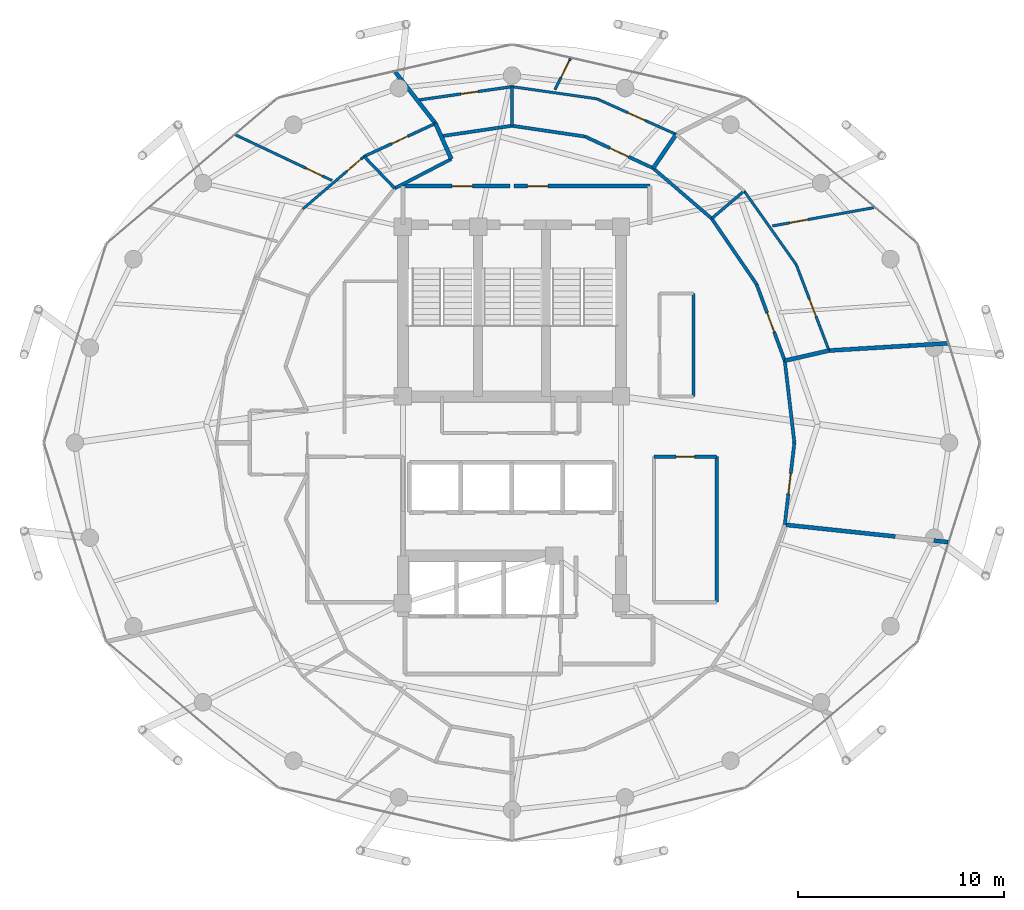
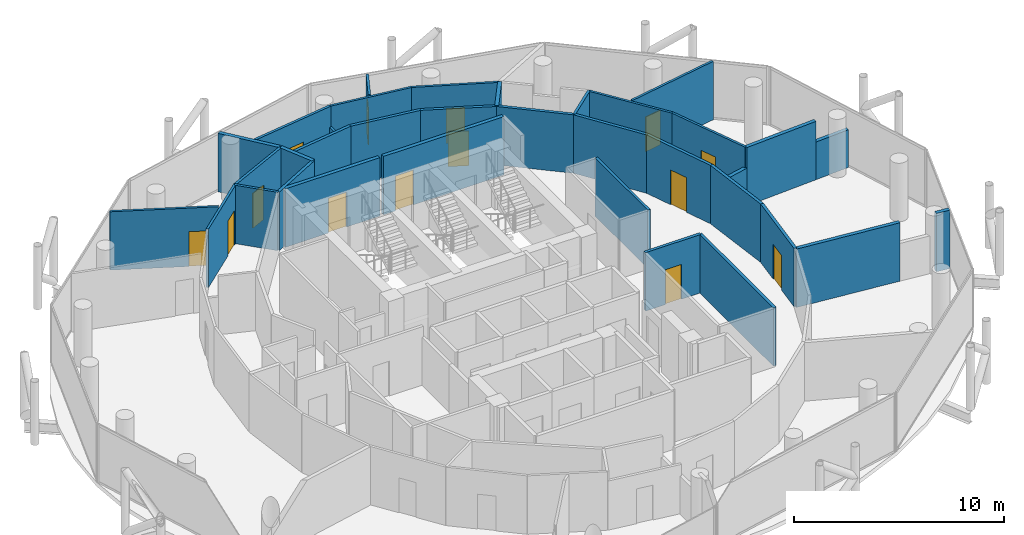
# One storey, part 25 of 27: 35 walls, 14 doors, 14 openings.
"""IFC4 building model written with IfcOpenShell, lengths in metres."""

from ifc_helpers import new_model, si_unit, direction, frame, frame_2d, origin, place, context, subcontext, project, spatial, rectangle, extrude, material, layer, layer_set, type_object, element, fill, save


model = new_model("IFC4")

# Units and contexts
model_context = context("Model", 3, precision=1e-05, world=origin(), true_north=direction((0.0, 1.0)))
body_context = subcontext(model_context, "Body", "Model", "MODEL_VIEW")
ifc_project = project(units=[si_unit("LENGTHUNIT", "METRE"), si_unit("AREAUNIT", "SQUARE_METRE"), si_unit("VOLUMEUNIT", "CUBIC_METRE"), si_unit("PLANEANGLEUNIT", "RADIAN"), si_unit("MASSUNIT", "GRAM", prefix="KILO")], contexts=[model_context])

# Site, building, storey
site_placement = place(None, origin())
site = spatial("IfcSite", under=ifc_project, at=site_placement, CompositionType="ELEMENT")
building_placement = place(site_placement, origin())
building = spatial("IfcBuilding", under=site, at=building_placement, Name="Nuhasar Tower", CompositionType="ELEMENT")
storey_placement = place(building_placement, frame((0.0, 0.0, 251.949951171875)))
storey = spatial("IfcBuildingStorey", under=building, at=storey_placement, Name="L62", CompositionType="ELEMENT", Elevation=251.949951171875)

# Wall
ifc_material_1 = material(Name="Gypsum Board", Category="gypsum")
ifc_layer_1 = layer(ifc_material_1, 0.159912109375)
ifc_layer_set_1 = layer_set([ifc_layer_1], Name="Gypsum Board")
wall_type_1 = type_object("IfcWallType", Name="WL-CORR-160", PredefinedType="PARTITIONING", material=ifc_layer_set_1)
wall_1_placement = place(storey_placement, frame((48.949951171875, 19.050048828125, 0.0), z_axis=(0.0, 0.0, 1.0), x_axis=(0.0, 1.0, 0.0)))
element("IfcWall", 1, at=wall_1_placement, inside=storey, type_object=wall_type_1, Name="L62 Interior Partition RECL-B2-E", PredefinedType="PARTITIONING", context=body_context, shape_type="SweptSolid", body=[
    extrude(rectangle(XDim=7.070068359375, YDim=0.159912109375, at=frame_2d((3.53515625, 0.0))), origin(), (0.0, 0.0, 1.0), 3.39013671875),
])

# Wall, opening, door
wall_2_placement = place(storey_placement, frame((48.949951171875, 26.1201171875, 0.0), z_axis=(0.0, 0.0, 1.0), x_axis=(-1.0, 0.0, 0.0)))
wall_2 = element("IfcWall", 2, at=wall_2_placement, inside=storey, type_object=wall_type_1, Name="L62 Interior Partition RECL-B2-N", PredefinedType="PARTITIONING", context=body_context, shape_type="SweptSolid", body=[
    extrude(rectangle(XDim=3.050048828125, YDim=0.159912109375, at=frame_2d((1.52490234375, 0.0))), origin(), (0.0, 0.0, 1.0), 3.39013671875),
])
opening_1_placement = place(wall_2_placement, frame((1.074951171875, 0.0, 0.0)))
opening_1 = element("IfcOpeningElement", 3, at=opening_1_placement, cuts=wall_2, Name="Opening DR-01B", PredefinedType="OPENING", context=body_context, shape_type="SweptSolid", body=[
    extrude(rectangle(XDim=0.89990234375, YDim=2.02001953125, at=frame_2d((0.449951171875, 1.010009765625))), frame((0.0, 0.08984375, 0.0), z_axis=(0.0, -1.0, 0.0), x_axis=(1.0, 0.0, 0.0)), (0.0, 0.0, 1.0), 0.179931640625),
])
ifc_material_2 = material(Name="Timber Oak", Category="wood")
door_type_1 = type_object("IfcDoorType", Name="DR-L62-ROOM-900", OperationType="NOTDEFINED", PredefinedType="DOOR", material=ifc_material_2)
door_1_placement = place(opening_1_placement, origin())
door_1 = element("IfcDoor", 4, at=door_1_placement, inside=storey, type_object=door_type_1, Name="L62 Resident Library Door", OperationType="SINGLE_SWING_LEFT", OverallHeight=2.02001953125, OverallWidth=0.89990234375, PredefinedType="DOOR", context=body_context, shape_type="SweptSolid", body=[
    extrude(rectangle(XDim=0.89990234375, YDim=2.02001953125, at=frame_2d((0.449951171875, 1.010009765625))), frame((0.0, 0.02490234375, 0.0), z_axis=(0.0, -1.0, 0.0), x_axis=(1.0, 0.0, 0.0)), (0.0, 0.0, 1.0), 0.050048828125),
])
fill(opening_1, door_1)

wall_3_placement = place(storey_placement, frame((52.72998046875, 26.800048828125, 0.0), z_axis=(0.0, 0.0, 1.0), x_axis=(-0.116555498827, -0.993184180146, 0.0)))
wall_3 = element("IfcWall", 5, at=wall_3_placement, inside=storey, type_object=wall_type_1, Name="L62 Interior Partition CORR-46", PredefinedType="PARTITIONING", context=body_context, shape_type="SweptSolid", body=[
    extrude(rectangle(XDim=4.015380859375, YDim=0.159912109375, at=frame_2d((2.0078125, 0.0))), origin(), (0.0, 0.0, 1.0), 3.39013671875),
])
opening_2_placement = place(wall_3_placement, frame((1.508056640625, 0.0, 0.0)))
opening_2 = element("IfcOpeningElement", 6, at=opening_2_placement, cuts=wall_3, Name="Opening DU-02B", PredefinedType="OPENING", context=body_context, shape_type="SweptSolid", body=[
    extrude(rectangle(XDim=1.0, YDim=2.02001953125, at=frame_2d((0.5, 1.010009765625))), frame((0.0, 0.08984375, 0.0), z_axis=(0.0, -1.0, 0.0), x_axis=(1.0, 0.0, 0.0)), (0.0, 0.0, 1.0), 0.179931640625),
])
door_type_2 = type_object("IfcDoorType", Name="DR-L62-FD60-1000", OperationType="NOTDEFINED", PredefinedType="DOOR", material=ifc_material_2)
door_2_placement = place(opening_2_placement, origin())
door_2 = element("IfcDoor", 7, at=door_2_placement, inside=storey, type_object=door_type_2, Name="L62 Horizon Music Recital Room Entrance Door", OperationType="SINGLE_SWING_LEFT", OverallHeight=2.02001953125, OverallWidth=1.0, PredefinedType="DOOR", context=body_context, shape_type="SweptSolid", body=[
    extrude(rectangle(XDim=1.0, YDim=2.02001953125, at=frame_2d((0.5, 1.010009765625))), frame((0.0, 0.02490234375, 0.0), z_axis=(0.0, -1.0, 0.0), x_axis=(1.0, 0.0, 0.0)), (0.0, 0.0, 1.0), 0.050048828125),
])
fill(opening_2, door_2)

# Wall
wall_4_placement = place(storey_placement, frame((52.72998046875, 26.800048828125, 0.0), z_axis=(0.0, 0.0, 1.0), x_axis=(-0.116555498827, 0.993184180146, 0.0)))
element("IfcWall", 8, at=wall_4_placement, inside=storey, type_object=wall_type_1, Name="L62 Interior Partition CORR-00", PredefinedType="PARTITIONING", context=body_context, shape_type="SweptSolid", body=[
    extrude(rectangle(XDim=4.015380859375, YDim=0.159912109375, at=frame_2d((2.0078125, 0.0))), origin(), (0.0, 0.0, 1.0), 3.39013671875),
])

# Wall, opening, door
wall_5_placement = place(storey_placement, frame((50.89111328125, 34.5048828125, 0.0), z_axis=(0.0, 0.0, 1.0), x_axis=(0.346039479237, -0.938219952255, 0.0)))
wall_5 = element("IfcWall", 9, at=wall_5_placement, inside=storey, type_object=wall_type_1, Name="L62 Interior Partition CORR-02", PredefinedType="PARTITIONING", context=body_context, shape_type="SweptSolid", body=[
    extrude(rectangle(XDim=3.96142578125, YDim=0.159912109375, at=frame_2d((1.980712890625, 0.0))), origin(), (0.0, 0.0, 1.0), 3.39013671875),
])
opening_3_placement = place(wall_5_placement, frame((1.48095703125, 0.0, 0.0)))
opening_3 = element("IfcOpeningElement", 10, at=opening_3_placement, cuts=wall_5, Name="Opening DU-02B", PredefinedType="OPENING", context=body_context, shape_type="SweptSolid", body=[
    extrude(rectangle(XDim=1.0, YDim=2.02001953125, at=frame_2d((0.5, 1.010009765625))), frame((0.0, 0.08984375, 0.0), z_axis=(0.0, -1.0, 0.0), x_axis=(1.0, 0.0, 0.0)), (0.0, 0.0, 1.0), 0.179931640625),
])
door_3_placement = place(opening_3_placement, origin())
door_3 = element("IfcDoor", 11, at=door_3_placement, inside=storey, type_object=door_type_2, Name="L62 Horizon One-Bed Apartment Entrance Door", OperationType="SINGLE_SWING_LEFT", OverallHeight=2.02001953125, OverallWidth=1.0, PredefinedType="DOOR", context=body_context, shape_type="SweptSolid", body=[
    extrude(rectangle(XDim=1.0, YDim=2.02001953125, at=frame_2d((0.5, 1.010009765625))), frame((0.0, 0.02490234375, 0.0), z_axis=(0.0, -1.0, 0.0), x_axis=(1.0, 0.0, 0.0)), (0.0, 0.0, 1.0), 0.050048828125),
])
fill(opening_3, door_3)

# Walls
wall_6_placement = place(storey_placement, frame((50.89111328125, 34.5048828125, 0.0), z_axis=(0.0, 0.0, 1.0), x_axis=(-0.5643375537, 0.825544139028, 0.0)))
element("IfcWall", 12, at=wall_6_placement, inside=storey, type_object=wall_type_1, Name="L62 Interior Partition CORR-04", PredefinedType="PARTITIONING", context=body_context, shape_type="SweptSolid", body=[
    extrude(rectangle(XDim=3.86669921875, YDim=0.159912109375, at=frame_2d((1.933349609375, 0.0))), origin(), (0.0, 0.0, 1.0), 3.39013671875),
])
wall_7_placement = place(storey_placement, frame((48.708984375, 37.697021484375, 0.0), z_axis=(0.0, 0.0, 1.0), x_axis=(-0.75790014932, 0.652370572344, 0.0)))
element("IfcWall", 13, at=wall_7_placement, inside=storey, type_object=wall_type_1, Name="L62 Interior Partition CORR-06", PredefinedType="PARTITIONING", context=body_context, shape_type="SweptSolid", body=[
    extrude(rectangle(XDim=3.75244140625, YDim=0.159912109375, at=frame_2d((1.876220703125, 0.0))), origin(), (0.0, 0.0, 1.0), 3.39013671875),
])

# Wall, opening, door
wall_8_placement = place(storey_placement, frame((42.553955078125, 41.68505859375, 0.0), z_axis=(0.0, 0.0, 1.0), x_axis=(0.906718733669, -0.421735862851, 0.0)))
wall_8 = element("IfcWall", 14, at=wall_8_placement, inside=storey, type_object=wall_type_1, Name="L62 Interior Partition CORR-08", PredefinedType="PARTITIONING", context=body_context, shape_type="SweptSolid", body=[
    extrude(rectangle(XDim=3.651611328125, YDim=0.159912109375, at=frame_2d((1.82568359375, 0.0))), origin(), (0.0, 0.0, 1.0), 3.39013671875),
])
opening_4_placement = place(wall_8_placement, frame((1.325927734375, 0.0, 0.0)))
opening_4 = element("IfcOpeningElement", 15, at=opening_4_placement, cuts=wall_8, Name="Opening DU-02B", PredefinedType="OPENING", context=body_context, shape_type="SweptSolid", body=[
    extrude(rectangle(XDim=1.0, YDim=2.02001953125, at=frame_2d((0.5, 1.010009765625))), frame((0.0, 0.08984375, 0.0), z_axis=(0.0, -1.0, 0.0), x_axis=(1.0, 0.0, 0.0)), (0.0, 0.0, 1.0), 0.179931640625),
])
door_4_placement = place(opening_4_placement, origin())
door_4 = element("IfcDoor", 16, at=door_4_placement, inside=storey, type_object=door_type_2, Name="L62 Horizon North Studio Suite Entrance Door", OperationType="SINGLE_SWING_RIGHT", OverallHeight=2.02001953125, OverallWidth=1.0, PredefinedType="DOOR", context=body_context, shape_type="SweptSolid", body=[
    extrude(rectangle(XDim=1.0, YDim=2.02001953125, at=frame_2d((0.5, 1.010009765625))), frame((0.0, 0.02490234375, 0.0), z_axis=(0.0, -1.0, 0.0), x_axis=(1.0, 0.0, 0.0)), (0.0, 0.0, 1.0), 0.050048828125),
])
fill(opening_4, door_4)

# Walls
wall_9_placement = place(storey_placement, frame((42.553955078125, 41.68505859375, 0.0), z_axis=(0.0, 0.0, 1.0), x_axis=(-0.989268313231, 0.146110247541, 0.0)))
element("IfcWall", 17, at=wall_9_placement, inside=storey, type_object=wall_type_1, Name="L62 Interior Partition CORR-10", PredefinedType="PARTITIONING", context=body_context, shape_type="SweptSolid", body=[
    extrude(rectangle(XDim=3.592529296875, YDim=0.159912109375, at=frame_2d((1.79638671875, 0.0))), origin(), (0.0, 0.0, 1.0), 3.39013671875),
])
wall_10_placement = place(storey_placement, frame((39.0, 42.2099609375, 0.0), z_axis=(0.0, 0.0, 1.0), x_axis=(-0.989259474357, -0.146170080365, 0.0)))
element("IfcWall", 18, at=wall_10_placement, inside=storey, type_object=wall_type_1, Name="L62 Interior Partition CORR-12", PredefinedType="PARTITIONING", context=body_context, shape_type="SweptSolid", body=[
    extrude(rectangle(XDim=3.482421875, YDim=0.159912109375, at=frame_2d((1.7412109375, 0.0))), origin(), (0.0, 0.0, 1.0), 3.39013671875),
])
wall_11_placement = place(storey_placement, frame((36.049072265625, 40.593017578125, 0.0), z_axis=(0.0, 0.0, 1.0), x_axis=(-0.887674575788, -0.460471331898, 0.0)))
element("IfcWall", 19, at=wall_11_placement, inside=storey, type_object=wall_type_1, Name="L62 Interior Partition UWEST-CORE-N1-14", PredefinedType="PARTITIONING", context=body_context, shape_type="SweptSolid", body=[
    extrude(rectangle(XDim=3.096923828125, YDim=0.159912109375, at=frame_2d((1.54833984375, 0.0))), origin(), (0.0, 0.0, 1.0), 3.39013671875),
])

# Wall, opening, door
ifc_material_3 = material(Name="Concrete C45/55", Category="concrete")
ifc_layer_2 = layer(ifc_material_3, 0.199951171875)
ifc_layer_set_2 = layer_set([ifc_layer_2], Name="Concrete C45/55")
wall_type_2 = type_object("IfcWallType", Name="WL-LOBBY-200", PredefinedType="SOLIDWALL", material=ifc_layer_set_2)
wall_12_placement = place(storey_placement, frame((38.89990234375, 39.280029296875, 0.0), z_axis=(0.0, 0.0, 1.0), x_axis=(-1.0, 0.0, 0.0)))
wall_12 = element("IfcWall", 20, at=wall_12_placement, inside=storey, type_object=wall_type_2, Name="L62 Interior Partition NSL-N1", PredefinedType="SOLIDWALL", context=body_context, shape_type="SweptSolid", body=[
    extrude(rectangle(XDim=5.199951171875, YDim=0.199951171875, at=frame_2d((2.60009765625, 0.0))), origin(), (0.0, 0.0, 1.0), 3.39013671875),
])
opening_5_placement = place(wall_12_placement, frame((1.81591796875, 0.0, 0.0)))
opening_5 = element("IfcOpeningElement", 21, at=opening_5_placement, cuts=wall_12, Name="Opening DU-02B", PredefinedType="OPENING", context=body_context, shape_type="SweptSolid", body=[
    extrude(rectangle(XDim=1.0, YDim=2.02001953125, at=frame_2d((0.5, 1.010009765625))), frame((0.0, 0.10986328125, 0.0), z_axis=(0.0, -1.0, 0.0), x_axis=(1.0, 0.0, 0.0)), (0.0, 0.0, 1.0), 0.219970703125),
])
door_5_placement = place(opening_5_placement, origin())
door_5 = element("IfcDoor", 22, at=door_5_placement, inside=storey, type_object=door_type_2, Name="L62 North Stair Lobby West Door", OperationType="SINGLE_SWING_LEFT", OverallHeight=2.02001953125, OverallWidth=1.0, PredefinedType="DOOR", context=body_context, shape_type="SweptSolid", body=[
    extrude(rectangle(XDim=1.0, YDim=2.02001953125, at=frame_2d((0.5, 1.010009765625))), frame((0.0, 0.02490234375, 0.0), z_axis=(0.0, -1.0, 0.0), x_axis=(1.0, 0.0, 0.0)), (0.0, 0.0, 1.0), 0.050048828125),
])
fill(opening_5, door_5)

wall_13_placement = place(storey_placement, frame((45.699951171875, 39.280029296875, 0.0), z_axis=(0.0, 0.0, 1.0), x_axis=(-1.0, 0.0, 0.0)))
wall_13 = element("IfcWall", 23, at=wall_13_placement, inside=storey, type_object=wall_type_2, Name="L62 Interior Partition NSL-N2", PredefinedType="SOLIDWALL", context=body_context, shape_type="SweptSolid", body=[
    extrude(rectangle(XDim=6.599853515625, YDim=0.199951171875, at=frame_2d((3.2998046875, 0.0))), origin(), (0.0, 0.0, 1.0), 3.39013671875),
])
opening_6_placement = place(wall_13_placement, frame((4.949951171875, 0.0, 0.0)))
opening_6 = element("IfcOpeningElement", 24, at=opening_6_placement, cuts=wall_13, Name="Opening DU-02B", PredefinedType="OPENING", context=body_context, shape_type="SweptSolid", body=[
    extrude(rectangle(XDim=1.0, YDim=2.02001953125, at=frame_2d((0.5, 1.010009765625))), frame((0.0, 0.10986328125, 0.0), z_axis=(0.0, -1.0, 0.0), x_axis=(1.0, 0.0, 0.0)), (0.0, 0.0, 1.0), 0.219970703125),
])
door_6_placement = place(opening_6_placement, origin())
door_6 = element("IfcDoor", 25, at=door_6_placement, inside=storey, type_object=door_type_2, Name="L62 North Stair Lobby East Door", OperationType="SINGLE_SWING_RIGHT", OverallHeight=2.02001953125, OverallWidth=1.0, PredefinedType="DOOR", context=body_context, shape_type="SweptSolid", body=[
    extrude(rectangle(XDim=1.0, YDim=2.02001953125, at=frame_2d((0.5, 1.010009765625))), frame((0.0, 0.02490234375, 0.0), z_axis=(0.0, -1.0, 0.0), x_axis=(1.0, 0.0, 0.0)), (0.0, 0.0, 1.0), 0.050048828125),
])
fill(opening_6, door_6)

ifc_layer_3 = layer(ifc_material_1, 0.125)
ifc_layer_set_3 = layer_set([ifc_layer_3], Name="Gypsum Board")
wall_type_3 = type_object("IfcWallType", Name="WL-PART-125", PredefinedType="PARTITIONING", material=ifc_layer_set_3)
wall_14_placement = place(storey_placement, frame((52.822021484375, 35.455078125, 0.0), z_axis=(0.0, 0.0, 1.0), x_axis=(0.356679026334, -0.934226991782, 0.0)))
wall_14 = element("IfcWall", 26, at=wall_14_placement, inside=storey, type_object=wall_type_3, Name="L62 Interior Partition UMID-04-A-02", PredefinedType="PARTITIONING", context=body_context, shape_type="SweptSolid", body=[
    extrude(rectangle(XDim=4.468994140625, YDim=0.125, at=frame_2d((2.234375, 0.0))), origin(), (0.0, 0.0, 1.0), 3.39013671875),
])
opening_7_placement = place(wall_14_placement, frame((1.783935546875, 0.0, 0.0)))
opening_7 = element("IfcOpeningElement", 27, at=opening_7_placement, cuts=wall_14, Name="Opening DR-01B", PredefinedType="OPENING", context=body_context, shape_type="SweptSolid", body=[
    extrude(rectangle(XDim=0.89990234375, YDim=2.02001953125, at=frame_2d((0.449951171875, 1.010009765625))), frame((0.0, 0.072509765625, 0.0), z_axis=(0.0, -1.0, 0.0), x_axis=(1.0, 0.0, 0.0)), (0.0, 0.0, 1.0), 0.14501953125),
])
door_7_placement = place(opening_7_placement, origin())
door_7 = element("IfcDoor", 28, at=door_7_placement, inside=storey, type_object=door_type_1, Name="L62 U04 Living Door", OperationType="SINGLE_SWING_RIGHT", OverallHeight=2.02001953125, OverallWidth=0.89990234375, PredefinedType="DOOR", context=body_context, shape_type="SweptSolid", body=[
    extrude(rectangle(XDim=0.89990234375, YDim=2.02001953125, at=frame_2d((0.449951171875, 1.010009765625))), frame((0.0, 0.02490234375, 0.0), z_axis=(0.0, -1.0, 0.0), x_axis=(1.0, 0.0, 0.0)), (0.0, 0.0, 1.0), 0.050048828125),
])
fill(opening_7, door_7)

# Wall
wall_15_placement = place(storey_placement, frame((52.822021484375, 35.455078125, 0.0), z_axis=(0.0, 0.0, 1.0), x_axis=(-0.577677974694, 0.81626475947, 0.0)))
element("IfcWall", 29, at=wall_15_placement, inside=storey, type_object=wall_type_3, Name="L62 Interior Partition UMID-04-A-04", PredefinedType="PARTITIONING", context=body_context, shape_type="SweptSolid", body=[
    extrude(rectangle(XDim=4.391845703125, YDim=0.125, at=frame_2d((2.19580078125, 0.0))), origin(), (0.0, 0.0, 1.0), 3.39013671875),
])

# Wall, opening, door
wall_16_placement = place(storey_placement, frame((51.662109375, 37.337890625, 0.0), z_axis=(0.0, 0.0, 1.0), x_axis=(0.98404223012, 0.177935070577, 0.0)))
wall_16 = element("IfcWall", 30, at=wall_16_placement, inside=storey, type_object=wall_type_3, Name="L62 Interior Partition UOUT-04-B1", PredefinedType="PARTITIONING", context=body_context, shape_type="SweptSolid", body=[
    extrude(rectangle(XDim=5.01904296875, YDim=0.125, at=frame_2d((2.509521484375, 0.0))), origin(), (0.0, 0.0, 1.0), 3.39013671875),
])
opening_8_placement = place(wall_16_placement, frame((0.85009765625, 0.0, 0.0)))
opening_8 = element("IfcOpeningElement", 31, at=opening_8_placement, cuts=wall_16, Name="Opening DR-01B", PredefinedType="OPENING", context=body_context, shape_type="SweptSolid", body=[
    extrude(rectangle(XDim=0.89990234375, YDim=2.02001953125, at=frame_2d((0.449951171875, 1.010009765625))), frame((0.0, 0.072509765625, 0.0), z_axis=(0.0, -1.0, 0.0), x_axis=(1.0, 0.0, 0.0)), (0.0, 0.0, 1.0), 0.14501953125),
])
door_8_placement = place(opening_8_placement, origin())
door_8 = element("IfcDoor", 32, at=door_8_placement, inside=storey, type_object=door_type_1, Name="L62 U04 Bedroom Door", OperationType="SINGLE_SWING_LEFT", OverallHeight=2.02001953125, OverallWidth=0.89990234375, PredefinedType="DOOR", context=body_context, shape_type="SweptSolid", body=[
    extrude(rectangle(XDim=0.89990234375, YDim=2.02001953125, at=frame_2d((0.449951171875, 1.010009765625))), frame((0.0, 0.02490234375, 0.0), z_axis=(0.0, -1.0, 0.0), x_axis=(1.0, 0.0, 0.0)), (0.0, 0.0, 1.0), 0.050048828125),
])
fill(opening_8, door_8)

wall_17_placement = place(storey_placement, frame((43.131103515625, 43.52001953125, 0.0), z_axis=(0.0, 0.0, 1.0), x_axis=(0.912186563344, -0.409775150118, 0.0)))
wall_17 = element("IfcWall", 33, at=wall_17_placement, inside=storey, type_object=wall_type_3, Name="L62 Interior Partition UMID-05-A-08", PredefinedType="PARTITIONING", context=body_context, shape_type="SweptSolid", body=[
    extrude(rectangle(XDim=4.219482421875, YDim=0.125, at=frame_2d((2.10986328125, 0.0))), origin(), (0.0, 0.0, 1.0), 3.39013671875),
])
opening_9_placement = place(wall_17_placement, frame((1.659912109375, 0.0, 0.0)))
opening_9 = element("IfcOpeningElement", 34, at=opening_9_placement, cuts=wall_17, Name="Opening DR-01B", PredefinedType="OPENING", context=body_context, shape_type="SweptSolid", body=[
    extrude(rectangle(XDim=0.89990234375, YDim=2.02001953125, at=frame_2d((0.449951171875, 1.010009765625))), frame((0.0, 0.072509765625, 0.0), z_axis=(0.0, -1.0, 0.0), x_axis=(1.0, 0.0, 0.0)), (0.0, 0.0, 1.0), 0.14501953125),
])
door_9_placement = place(opening_9_placement, origin())
door_9 = element("IfcDoor", 35, at=door_9_placement, inside=storey, type_object=door_type_1, Name="L62 U05 Living Door", OperationType="SINGLE_SWING_LEFT", OverallHeight=2.02001953125, OverallWidth=0.89990234375, PredefinedType="DOOR", context=body_context, shape_type="SweptSolid", body=[
    extrude(rectangle(XDim=0.89990234375, YDim=2.02001953125, at=frame_2d((0.449951171875, 1.010009765625))), frame((0.0, 0.02490234375, 0.0), z_axis=(0.0, -1.0, 0.0), x_axis=(1.0, 0.0, 0.0)), (0.0, 0.0, 1.0), 0.050048828125),
])
fill(opening_9, door_9)

# Wall
wall_18_placement = place(storey_placement, frame((43.131103515625, 43.52001953125, 0.0), z_axis=(0.0, 0.0, 1.0), x_axis=(-0.989951833699, 0.141404975004, 0.0)))
element("IfcWall", 36, at=wall_18_placement, inside=storey, type_object=wall_type_3, Name="L62 Interior Partition UMID-05-A-10", PredefinedType="PARTITIONING", context=body_context, shape_type="SweptSolid", body=[
    extrude(rectangle(XDim=4.173095703125, YDim=0.125, at=frame_2d((2.08642578125, 0.0))), origin(), (0.0, 0.0, 1.0), 3.39013671875),
])

# Wall, opening, door
wall_19_placement = place(storey_placement, frame((41.0830078125, 43.9619140625, 0.0), z_axis=(0.0, 0.0, 1.0), x_axis=(0.4472135955, 0.894427191, 0.0)))
wall_19 = element("IfcWall", 37, at=wall_19_placement, inside=storey, type_object=wall_type_3, Name="L62 Interior Partition UOUT-05-B1", PredefinedType="PARTITIONING", context=body_context, shape_type="SweptSolid", body=[
    extrude(rectangle(XDim=1.695068359375, YDim=0.125, at=frame_2d((0.84765625, 0.0))), origin(), (0.0, 0.0, 1.0), 3.39013671875),
])
opening_10_placement = place(wall_19_placement, frame((0.675048828125, 0.0, 0.0)))
opening_10 = element("IfcOpeningElement", 38, at=opening_10_placement, cuts=wall_19, Name="Opening DR-01B", PredefinedType="OPENING", context=body_context, shape_type="SweptSolid", body=[
    extrude(rectangle(XDim=0.89990234375, YDim=2.02001953125, at=frame_2d((0.449951171875, 1.010009765625))), frame((0.0, 0.072509765625, 0.0), z_axis=(0.0, -1.0, 0.0), x_axis=(1.0, 0.0, 0.0)), (0.0, 0.0, 1.0), 0.14501953125),
])
door_10_placement = place(opening_10_placement, origin())
door_10 = element("IfcDoor", 39, at=door_10_placement, inside=storey, type_object=door_type_1, Name="L62 U05 Bedroom Door", OperationType="SINGLE_SWING_RIGHT", OverallHeight=2.02001953125, OverallWidth=0.89990234375, PredefinedType="DOOR", context=body_context, shape_type="SweptSolid", body=[
    extrude(rectangle(XDim=0.89990234375, YDim=2.02001953125, at=frame_2d((0.449951171875, 1.010009765625))), frame((0.0, 0.02490234375, 0.0), z_axis=(0.0, -1.0, 0.0), x_axis=(1.0, 0.0, 0.0)), (0.0, 0.0, 1.0), 0.050048828125),
])
fill(opening_10, door_10)

wall_20_placement = place(storey_placement, frame((28.83203125, 38.1630859375, 0.0), z_axis=(0.0, 0.0, 1.0), x_axis=(0.759085259689, 0.650991220004, 0.0)))
wall_20 = element("IfcWall", 40, at=wall_20_placement, inside=storey, type_object=wall_type_3, Name="L62 Interior Partition USM-1-K-16", PredefinedType="PARTITIONING", context=body_context, shape_type="SweptSolid", body=[
    extrude(rectangle(XDim=3.923095703125, YDim=0.125, at=frame_2d((1.96142578125, 0.0))), origin(), (0.0, 0.0, 1.0), 3.39013671875),
])
opening_11_placement = place(wall_20_placement, frame((2.822998046875, 0.0, 0.0)))
opening_11 = element("IfcOpeningElement", 41, at=opening_11_placement, cuts=wall_20, Name="Opening DR-01B", PredefinedType="OPENING", context=body_context, shape_type="SweptSolid", body=[
    extrude(rectangle(XDim=0.89990234375, YDim=2.02001953125, at=frame_2d((0.449951171875, 1.010009765625))), frame((0.0, 0.072509765625, 0.0), z_axis=(0.0, -1.0, 0.0), x_axis=(1.0, 0.0, 0.0)), (0.0, 0.0, 1.0), 0.14501953125),
])
door_11_placement = place(opening_11_placement, origin())
door_11 = element("IfcDoor", 42, at=door_11_placement, inside=storey, type_object=door_type_1, Name="L62 North-West Sky Home Kitchen Door", OperationType="SINGLE_SWING_RIGHT", OverallHeight=2.02001953125, OverallWidth=0.89990234375, PredefinedType="DOOR", context=body_context, shape_type="SweptSolid", body=[
    extrude(rectangle(XDim=0.89990234375, YDim=2.02001953125, at=frame_2d((0.449951171875, 1.010009765625))), frame((0.0, 0.02490234375, 0.0), z_axis=(0.0, -1.0, 0.0), x_axis=(1.0, 0.0, 0.0)), (0.0, 0.0, 1.0), 0.050048828125),
])
fill(opening_11, door_11)

wall_21_placement = place(storey_placement, frame((30.24609375, 39.549072265625, 0.0), z_axis=(0.0, 0.0, 1.0), x_axis=(-0.903897878918, 0.427748319094, 0.0)))
wall_21 = element("IfcWall", 43, at=wall_21_placement, inside=storey, type_object=wall_type_3, Name="L62 Interior Partition USO-1-B1", PredefinedType="PARTITIONING", context=body_context, shape_type="SweptSolid", body=[
    extrude(rectangle(XDim=5.185302734375, YDim=0.125, at=frame_2d((2.5927734375, 0.0))), origin(), (0.0, 0.0, 1.0), 3.39013671875),
])
opening_12_placement = place(wall_21_placement, frame((0.5029296875, 0.0, 0.0)))
opening_12 = element("IfcOpeningElement", 44, at=opening_12_placement, cuts=wall_21, Name="Opening DR-01B", PredefinedType="OPENING", context=body_context, shape_type="SweptSolid", body=[
    extrude(rectangle(XDim=0.89990234375, YDim=2.02001953125, at=frame_2d((0.449951171875, 1.010009765625))), frame((0.0, 0.072509765625, 0.0), z_axis=(0.0, -1.0, 0.0), x_axis=(1.0, 0.0, 0.0)), (0.0, 0.0, 1.0), 0.14501953125),
])
door_12_placement = place(opening_12_placement, origin())
door_12 = element("IfcDoor", 45, at=door_12_placement, inside=storey, type_object=door_type_1, Name="L62 North-West Sky Home Master Bedroom Door", OperationType="SINGLE_SWING_LEFT", OverallHeight=2.02001953125, OverallWidth=0.89990234375, PredefinedType="DOOR", context=body_context, shape_type="SweptSolid", body=[
    extrude(rectangle(XDim=0.89990234375, YDim=2.02001953125, at=frame_2d((0.449951171875, 1.010009765625))), frame((0.0, 0.02490234375, 0.0), z_axis=(0.0, -1.0, 0.0), x_axis=(1.0, 0.0, 0.0)), (0.0, 0.0, 1.0), 0.050048828125),
])
fill(opening_12, door_12)

# Walls
ifc_material_4 = material(Name="Concrete C40/50 precast", Category="concrete")
ifc_layer_4 = layer(ifc_material_4, 0.199951171875)
ifc_layer_set_4 = layer_set([ifc_layer_4], Name="Concrete C40/50 precast")
wall_type_4 = type_object("IfcWallType", Name="WL-UNIT-200", PredefinedType="PARTITIONING", material=ifc_layer_set_4)
wall_22_placement = place(storey_placement, frame((36.049072265625, 40.593017578125, 0.0), z_axis=(0.0, 0.0, 1.0), x_axis=(-0.407262922325, 0.913310961338, 0.0)))
element("IfcWall", 46, at=wall_22_placement, inside=storey, type_object=wall_type_4, Name="L62 Interior Partition URAD-14-NW-S1", PredefinedType="PARTITIONING", context=body_context, shape_type="SweptSolid", body=[
    extrude(rectangle(XDim=1.89306640625, YDim=0.199951171875, at=frame_2d((0.946533203125, 0.0))), origin(), (0.0, 0.0, 1.0), 3.39013671875),
])
wall_23_placement = place(storey_placement, frame((35.278076171875, 42.322021484375, 0.0), z_axis=(0.0, 0.0, 1.0), x_axis=(-0.615410344966, 0.788206893721, 0.0)))
element("IfcWall", 47, at=wall_23_placement, inside=storey, type_object=wall_type_4, Name="L62 Interior Partition URAD-14-NW-S2", PredefinedType="PARTITIONING", context=body_context, shape_type="SweptSolid", body=[
    extrude(rectangle(XDim=3.18310546875, YDim=0.199951171875, at=frame_2d((1.591552734375, 0.0))), origin(), (0.0, 0.0, 1.0), 3.39013671875),
])
wall_24_placement = place(storey_placement, frame((52.261962890625, 22.81201171875, 0.0), z_axis=(0.0, 0.0, 1.0), x_axis=(0.994397709372, -0.105703337676, 0.0)))
element("IfcWall", 48, at=wall_24_placement, inside=storey, type_object=wall_type_4, Name="L62 Interior Partition URAD-46", PredefinedType="PARTITIONING", context=body_context, shape_type="SweptSolid", body=[
    extrude(rectangle(XDim=5.40234375, YDim=0.199951171875, at=frame_2d((2.701171875, 0.0))), origin(), (0.0, 0.0, 1.0), 3.39013671875),
])
wall_25_placement = place(storey_placement, frame((59.507080078125, 22.0419921875, 0.0), z_axis=(0.0, 0.0, 1.0), x_axis=(0.99439593918, -0.105719989323, 0.0)))
element("IfcWall", 49, at=wall_25_placement, inside=storey, type_object=wall_type_4, Name="L62 Interior Partition URAD-46", PredefinedType="PARTITIONING", context=body_context, shape_type="SweptSolid", body=[
    extrude(rectangle(XDim=0.69970703125, YDim=0.199951171875, at=frame_2d((0.349853515625, 0.0))), origin(), (0.0, 0.0, 1.0), 3.39013671875),
])
wall_26_placement = place(storey_placement, frame((52.261962890625, 30.7880859375, 0.0), z_axis=(0.0, 0.0, 1.0), x_axis=(0.974898951109, 0.222647782668, 0.0)))
element("IfcWall", 50, at=wall_26_placement, inside=storey, type_object=wall_type_4, Name="L62 Interior Partition URAD-02-S1", PredefinedType="PARTITIONING", context=body_context, shape_type="SweptSolid", body=[
    extrude(rectangle(XDim=2.20947265625, YDim=0.199951171875, at=frame_2d((1.104736328125, 0.0))), origin(), (0.0, 0.0, 1.0), 2.18994140625),
])
wall_27_placement = place(storey_placement, frame((54.416015625, 31.280029296875, 0.0), z_axis=(0.0, 0.0, 1.0), x_axis=(0.998169739768, 0.06047454516, 0.0)))
element("IfcWall", 51, at=wall_27_placement, inside=storey, type_object=wall_type_4, Name="L62 Interior Partition URAD-02-S2", PredefinedType="PARTITIONING", context=body_context, shape_type="SweptSolid", body=[
    extrude(rectangle(XDim=3.952392578125, YDim=0.199951171875, at=frame_2d((1.97607421875, 0.0))), origin(), (0.0, 0.0, 1.0), 3.39013671875),
])
wall_28_placement = place(storey_placement, frame((58.361083984375, 31.51904296875, 0.0), z_axis=(0.0, 0.0, 1.0), x_axis=(0.998154184544, 0.060730749033, 0.0)))
element("IfcWall", 52, at=wall_28_placement, inside=storey, type_object=wall_type_4, Name="L62 Interior Partition URAD-02-S2", PredefinedType="PARTITIONING", context=body_context, shape_type="SweptSolid", body=[
    extrude(rectangle(XDim=1.84521484375, YDim=0.199951171875, at=frame_2d((0.922607421875, 0.0))), origin(), (0.0, 0.0, 1.0), 2.18994140625),
])
wall_29_placement = place(storey_placement, frame((45.864990234375, 40.14501953125, 0.0), z_axis=(0.0, 0.0, 1.0), x_axis=(0.560834568606, 0.827927887353, 0.0)))
element("IfcWall", 53, at=wall_29_placement, inside=storey, type_object=wall_type_4, Name="L62 Interior Partition URAD-08-S1", PredefinedType="PARTITIONING", context=body_context, shape_type="SweptSolid", body=[
    extrude(rectangle(XDim=1.988037109375, YDim=0.199951171875, at=frame_2d((0.994140625, 0.0))), origin(), (0.0, 0.0, 1.0), 3.39013671875),
])
ifc_layer_5 = layer(ifc_material_4, 0.139892578125)
ifc_layer_set_5 = layer_set([ifc_layer_5], Name="Concrete C40/50 precast")
wall_type_5 = type_object("IfcWallType", Name="WL-WET-140", PredefinedType="PARTITIONING", material=ifc_layer_set_5)
wall_30_placement = place(storey_placement, frame((47.820068359375, 29.050048828125, 0.0), z_axis=(0.0, 0.0, 1.0), x_axis=(0.0, 1.0, 0.0)))
element("IfcWall", 54, at=wall_30_placement, inside=storey, type_object=wall_type_5, Name="L62 Interior Partition K3-NE-E", PredefinedType="PARTITIONING", context=body_context, shape_type="SweptSolid", body=[
    extrude(rectangle(XDim=5.0, YDim=0.139892578125, at=frame_2d((2.5, 0.0))), origin(), (0.0, 0.0, 1.0), 3.39013671875),
])
wall_31_placement = place(storey_placement, frame((48.708984375, 37.697021484375, 0.0), z_axis=(0.0, 0.0, 1.0), x_axis=(0.7611095579, 0.648623342837, 0.0)))
element("IfcWall", 55, at=wall_31_placement, inside=storey, type_object=wall_type_5, Name="L62 Interior Partition UIN-04-K", PredefinedType="PARTITIONING", context=body_context, shape_type="SweptSolid", body=[
    extrude(rectangle(XDim=2.070556640625, YDim=0.139892578125, at=frame_2d((1.03515625, 0.0))), origin(), (0.0, 0.0, 1.0), 3.39013671875),
])

# Wall, opening, door
wall_32_placement = place(storey_placement, frame((34.39501953125, 43.451904296875, 0.0), z_axis=(0.0, 0.0, 1.0), x_axis=(0.989938994285, 0.141494832393, 0.0)))
wall_32 = element("IfcWall", 56, at=wall_32_placement, inside=storey, type_object=wall_type_5, Name="L62 Interior Partition UMID-05-B-12", PredefinedType="PARTITIONING", context=body_context, shape_type="SweptSolid", body=[
    extrude(rectangle(XDim=4.65185546875, YDim=0.139892578125, at=frame_2d((2.325927734375, 0.0))), origin(), (0.0, 0.0, 1.0), 3.39013671875),
])
opening_13_placement = place(wall_32_placement, frame((2.139892578125, 0.0, 0.0)))
opening_13 = element("IfcOpeningElement", 57, at=opening_13_placement, cuts=wall_32, Name="Opening DB-01B", PredefinedType="OPENING", context=body_context, shape_type="SweptSolid", body=[
    extrude(rectangle(XDim=0.85009765625, YDim=2.02001953125, at=frame_2d((0.425048828125, 1.010009765625))), frame((0.0, 0.080078125, 0.0), z_axis=(0.0, -1.0, 0.0), x_axis=(1.0, 0.0, 0.0)), (0.0, 0.0, 1.0), 0.159912109375),
])
door_type_3 = type_object("IfcDoorType", Name="DR-L62-BATH-850", OperationType="NOTDEFINED", PredefinedType="DOOR", material=ifc_material_2)
door_13_placement = place(opening_13_placement, origin())
door_13 = element("IfcDoor", 58, at=door_13_placement, inside=storey, type_object=door_type_3, Name="L62 U05 Bathroom Door", OperationType="SINGLE_SWING_RIGHT", OverallHeight=2.02001953125, OverallWidth=0.85009765625, PredefinedType="DOOR", context=body_context, shape_type="SweptSolid", body=[
    extrude(rectangle(XDim=0.85009765625, YDim=2.02001953125, at=frame_2d((0.425048828125, 1.010009765625))), frame((0.0, 0.02490234375, 0.0), z_axis=(0.0, -1.0, 0.0), x_axis=(1.0, 0.0, 0.0)), (0.0, 0.0, 1.0), 0.050048828125),
])
fill(opening_13, door_13)

# Walls
wall_33_placement = place(storey_placement, frame((39.0, 42.2099609375, 0.0), z_axis=(0.0, 0.0, 1.0), x_axis=(0.0, 1.0, 0.0)))
element("IfcWall", 59, at=wall_33_placement, inside=storey, type_object=wall_type_5, Name="L62 Interior Partition UIN-05-K", PredefinedType="PARTITIONING", context=body_context, shape_type="SweptSolid", body=[
    extrude(rectangle(XDim=1.900146484375, YDim=0.139892578125, at=frame_2d((0.9501953125, 0.0))), origin(), (0.0, 0.0, 1.0), 2.18994140625),
])
wall_34_placement = place(storey_placement, frame((33.300048828125, 39.1669921875, 0.0), z_axis=(0.0, 0.0, 1.0), x_axis=(-0.693002052722, 0.720935610803, 0.0)))
element("IfcWall", 60, at=wall_34_placement, inside=storey, type_object=wall_type_5, Name="L62 Interior Partition USI-1-BK", PredefinedType="PARTITIONING", context=body_context, shape_type="SweptSolid", body=[
    extrude(rectangle(XDim=2.150146484375, YDim=0.139892578125, at=frame_2d((1.0751953125, 0.0))), origin(), (0.0, 0.0, 1.0), 3.39013671875),
])

# Wall, opening, door
wall_35_placement = place(storey_placement, frame((31.81005859375, 40.717041015625, 0.0), z_axis=(0.0, 0.0, 1.0), x_axis=(0.907525084777, 0.419997881543, 0.0)))
wall_35 = element("IfcWall", 61, at=wall_35_placement, inside=storey, type_object=wall_type_5, Name="L62 Interior Partition USM-1-B-14", PredefinedType="PARTITIONING", context=body_context, shape_type="SweptSolid", body=[
    extrude(rectangle(XDim=3.8212890625, YDim=0.139892578125, at=frame_2d((1.91064453125, 0.0))), origin(), (0.0, 0.0, 1.0), 3.39013671875),
])
opening_14_placement = place(wall_35_placement, frame((1.486083984375, 0.0, 0.0)))
opening_14 = element("IfcOpeningElement", 62, at=opening_14_placement, cuts=wall_35, Name="Opening DB-01B", PredefinedType="OPENING", context=body_context, shape_type="SweptSolid", body=[
    extrude(rectangle(XDim=0.85009765625, YDim=2.02001953125, at=frame_2d((0.425048828125, 1.010009765625))), frame((0.0, 0.080078125, 0.0), z_axis=(0.0, -1.0, 0.0), x_axis=(1.0, 0.0, 0.0)), (0.0, 0.0, 1.0), 0.159912109375),
])
door_14_placement = place(opening_14_placement, origin())
door_14 = element("IfcDoor", 63, at=door_14_placement, inside=storey, type_object=door_type_3, Name="L62 North-West Sky Home En-Suite Door", OperationType="SINGLE_SWING_LEFT", OverallHeight=2.02001953125, OverallWidth=0.85009765625, PredefinedType="DOOR", context=body_context, shape_type="SweptSolid", body=[
    extrude(rectangle(XDim=0.85009765625, YDim=2.02001953125, at=frame_2d((0.425048828125, 1.010009765625))), frame((0.0, 0.02490234375, 0.0), z_axis=(0.0, -1.0, 0.0), x_axis=(1.0, 0.0, 0.0)), (0.0, 0.0, 1.0), 0.050048828125),
])
fill(opening_14, door_14)

save(model, "model.ifc")
